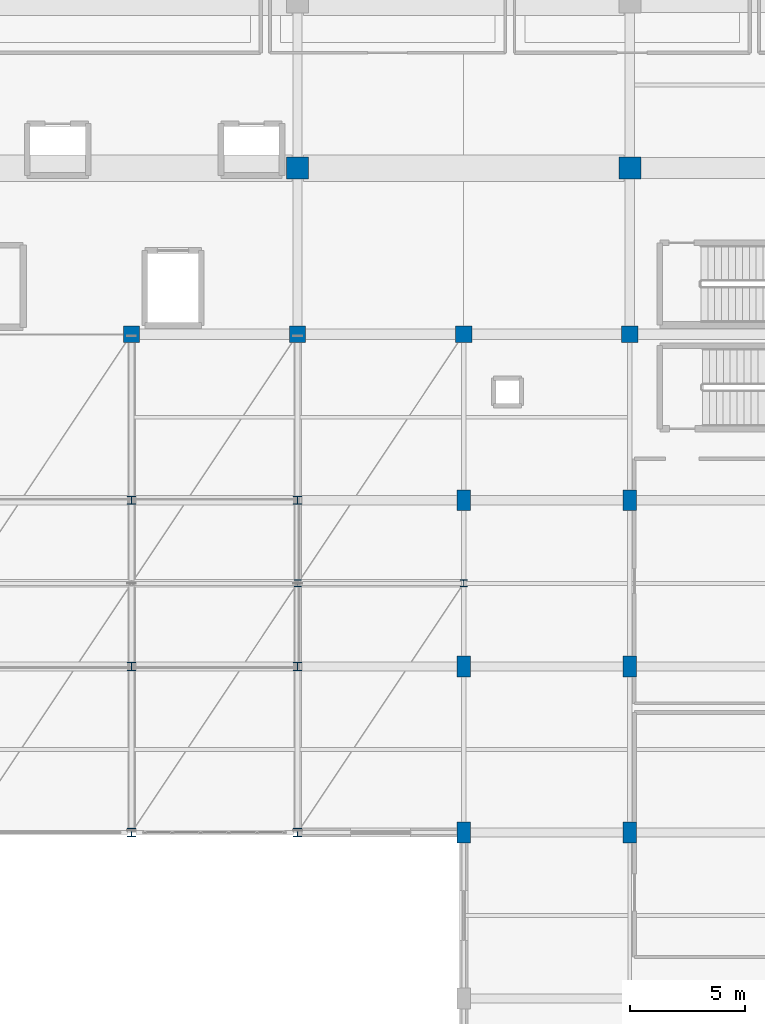
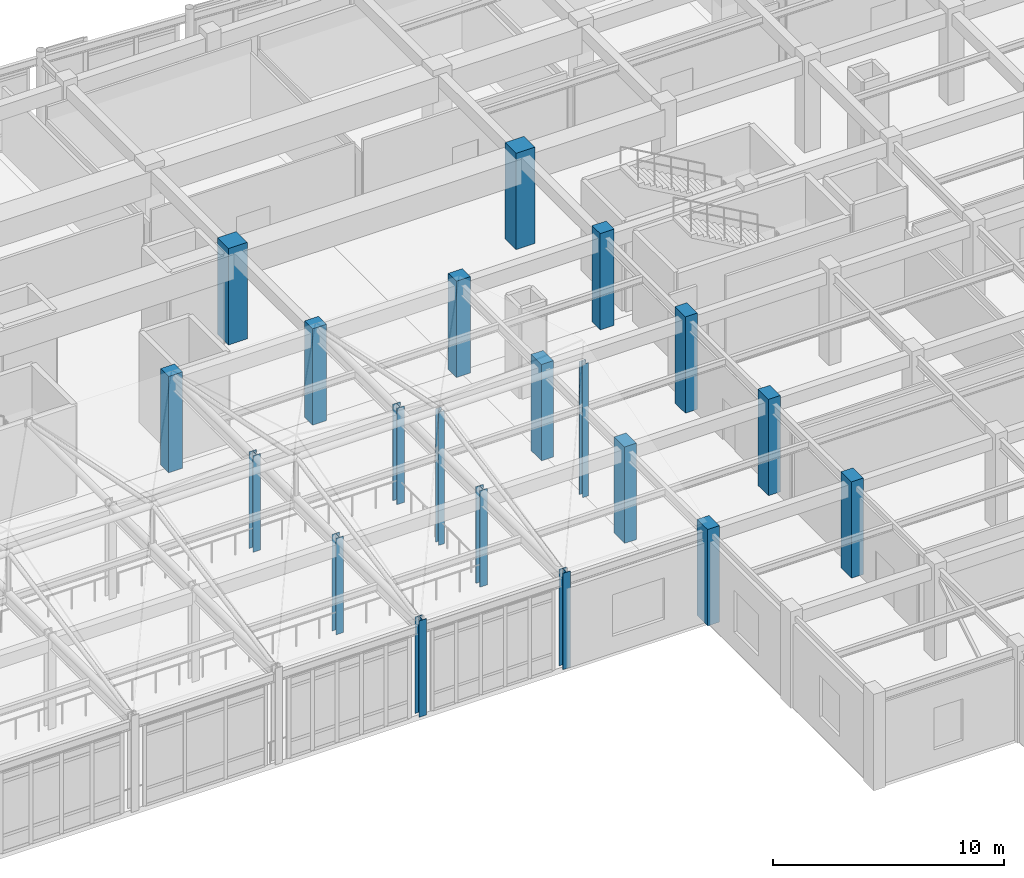
# One storey, part 8 of 117: 20 columns.
"""IFC4 building model written with IfcOpenShell, lengths in metres."""

from ifc_helpers import new_model, si_unit, direction, frame, origin, origin_2d, place, context, subcontext, project, spatial, rectangle, i_section, extrude, material, material_profile, profile_set, type_object, element, save


model = new_model("IFC4")

# Units and contexts
model_context = context("Model", 3, precision=1e-05, world=origin(), true_north=direction((0.0, 1.0)))
body_context = subcontext(model_context, "Body", "Model", "MODEL_VIEW")
ifc_project = project(units=[si_unit("LENGTHUNIT", "METRE"), si_unit("AREAUNIT", "SQUARE_METRE"), si_unit("VOLUMEUNIT", "CUBIC_METRE"), si_unit("PLANEANGLEUNIT", "RADIAN"), si_unit("MASSUNIT", "GRAM", prefix="KILO")], contexts=[model_context])

# Site, building, storey
site_placement = place(None, origin())
site = spatial("IfcSite", under=ifc_project, at=site_placement, CompositionType="ELEMENT")
building_placement = place(site_placement, origin())
building = spatial("IfcBuilding", under=site, at=building_placement, Name="Carrowvane Square Congress Hotel", CompositionType="ELEMENT")
storey_placement = place(building_placement, frame((0.0, 0.0, 5.39990234375)))
storey = spatial("IfcBuildingStorey", under=building, at=storey_placement, Name="L01", CompositionType="ELEMENT", Elevation=5.39990234375)

# Columns
ifc_material_1 = material(Name="Concrete C40/50", Category="concrete")
ifc_material_profile_1 = material_profile(ifc_material_1, rectangle(XDim=0.60009765625, YDim=0.89990234375, at=origin_2d()), Name="RC 600x900")
ifc_profile_set_1 = profile_set([ifc_material_profile_1], Name="Concrete C40/50")
column_type_1 = type_object("IfcColumnType", Name="COL-RC-600x900", PredefinedType="COLUMN", material=ifc_profile_set_1)
for number, where, z_axis, x_axis, name in (
    (1, (126.800048828125, 70.199951171875, 0.0), (0.0, 0.0, 1.0), (1.0, 0.0, 0.0), "L01 column 17/K"),
    (2, (126.800048828125, 77.39990234375, 0.0), (0.0, 0.0, 1.0), (1.0, 0.0, 0.0), "L01 column 17/L"),
    (3, (126.800048828125, 84.60009765625, 0.0), (0.0, 0.0, 1.0), (1.0, 0.0, 0.0), "L01 column 17/M"),
    (4, (134.0, 70.199951171875, 0.0), (0.0, 0.0, 1.0), (1.0, 0.0, 0.0), "L01 column 18/K"),
    (5, (134.0, 77.39990234375, 0.0), (0.0, 0.0, 1.0), (1.0, 0.0, 0.0), "L01 column 18/L"),
    (6, (134.0, 84.60009765625, 0.0), (0.0, 0.0, 1.0), (1.0, 0.0, 0.0), "L01 column 18/M"),
):
    element("IfcColumn", number, at=place(storey_placement, frame(where, z_axis=z_axis, x_axis=x_axis)), inside=storey, type_object=column_type_1, Name=name, PredefinedType="COLUMN", context=body_context, shape_type="SweptSolid", body=[
        extrude(rectangle(XDim=0.60009765625, YDim=0.89990234375, at=origin_2d()), origin(), (0.0, 0.0, 1.0), 5.10009765625),
    ])
ifc_material_2 = material(Name="Concrete C40/50", Category="concrete")
ifc_material_profile_2 = material_profile(ifc_material_2, rectangle(XDim=0.699951171875, YDim=0.699951171875, at=origin_2d()), Name="RC 700x700")
ifc_profile_set_2 = profile_set([ifc_material_profile_2], Name="Concrete C40/50")
column_type_2 = type_object("IfcColumnType", Name="COL-RC-700", PredefinedType="COLUMN", material=ifc_profile_set_2)
for number, where, z_axis, x_axis, name in (
    (7, (112.39990234375, 91.800048828125, 0.0), (0.0, 0.0, 1.0), (1.0, 0.0, 0.0), "L01 column 15/N"),
    (8, (119.60009765625, 91.800048828125, 0.0), (0.0, 0.0, 1.0), (1.0, 0.0, 0.0), "L01 column 16/N"),
    (9, (126.800048828125, 91.800048828125, 0.0), (0.0, 0.0, 1.0), (1.0, 0.0, 0.0), "L01 column 17/N"),
    (10, (134.0, 91.800048828125, 0.0), (0.0, 0.0, 1.0), (1.0, 0.0, 0.0), "L01 column 18/N"),
):
    element("IfcColumn", number, at=place(storey_placement, frame(where, z_axis=z_axis, x_axis=x_axis)), inside=storey, type_object=column_type_2, Name=name, PredefinedType="COLUMN", context=body_context, shape_type="SweptSolid", body=[
        extrude(rectangle(XDim=0.699951171875, YDim=0.699951171875, at=origin_2d()), origin(), (0.0, 0.0, 1.0), 5.10009765625),
    ])
ifc_material_3 = material(Name="Steel S355", Category="steel")
ifc_material_profile_3 = material_profile(ifc_material_3, i_section(OverallWidth=0.300048828125, OverallDepth=0.300048828125, WebThickness=0.010986328125, FlangeThickness=0.01904296875, FilletRadius=0.027099609375, at=origin_2d()), Name="HEB 300")
ifc_profile_set_3 = profile_set([ifc_material_profile_3], Name="Steel S355")
column_type_3 = type_object("IfcColumnType", Name="COL-ST-HEB300", PredefinedType="COLUMN", material=ifc_profile_set_3)
for number, where, z_axis, x_axis, name in (
    (11, (119.60009765625, 81.0, 0.0), (0.0, 0.0, 1.0), (1.0, 0.0, 0.0), "L01 column V6X119/RG"),
    (12, (126.800048828125, 81.0, 0.0), (0.0, 0.0, 1.0), (1.0, 0.0, 0.0), "L01 column V6X126/RG"),
):
    element("IfcColumn", number, at=place(storey_placement, frame(where, z_axis=z_axis, x_axis=x_axis)), inside=storey, type_object=column_type_3, Name=name, PredefinedType="COLUMN", context=body_context, shape_type="SweptSolid", body=[
        extrude(i_section(OverallWidth=0.300048828125, OverallDepth=0.300048828125, WebThickness=0.010986328125, FlangeThickness=0.01904296875, FilletRadius=0.027099609375, at=origin_2d()), origin(), (0.0, 0.0, 1.0), 7.045654296875),
    ])
ifc_material_4 = material(Name="Steel S355", Category="steel")
ifc_material_profile_4 = material_profile(ifc_material_4, i_section(OverallWidth=0.37060546875, OverallDepth=0.362060546875, WebThickness=0.01220703125, FlangeThickness=0.020751953125, FilletRadius=0.01513671875, at=origin_2d()), Name="UKC 356x368x153")
ifc_profile_set_4 = profile_set([ifc_material_profile_4], Name="Steel S355")
column_type_4 = type_object("IfcColumnType", Name="COL-ST-UKC356", PredefinedType="COLUMN", material=ifc_profile_set_4)
for number, where, z_axis, x_axis, name in (
    (13, (112.39990234375, 70.199951171875, 0.0), (0.0, 0.0, 1.0), (1.0, 0.0, 0.0), "L01 column 15/K"),
    (14, (112.39990234375, 77.39990234375, 0.0), (0.0, 0.0, 1.0), (1.0, 0.0, 0.0), "L01 column 15/L"),
    (15, (112.39990234375, 84.60009765625, 0.0), (0.0, 0.0, 1.0), (1.0, 0.0, 0.0), "L01 column 15/M"),
    (16, (119.60009765625, 70.199951171875, 0.0), (0.0, 0.0, 1.0), (1.0, 0.0, 0.0), "L01 column 16/K"),
    (17, (119.60009765625, 77.39990234375, 0.0), (0.0, 0.0, 1.0), (1.0, 0.0, 0.0), "L01 column 16/L"),
    (18, (119.60009765625, 84.60009765625, 0.0), (0.0, 0.0, 1.0), (1.0, 0.0, 0.0), "L01 column 16/M"),
):
    element("IfcColumn", number, at=place(storey_placement, frame(where, z_axis=z_axis, x_axis=x_axis)), inside=storey, type_object=column_type_4, Name=name, PredefinedType="COLUMN", context=body_context, shape_type="SweptSolid", body=[
        extrude(i_section(OverallWidth=0.37060546875, OverallDepth=0.362060546875, WebThickness=0.01220703125, FlangeThickness=0.020751953125, FilletRadius=0.01513671875, at=origin_2d()), origin(), (0.0, 0.0, 1.0), 5.10009765625),
    ])
ifc_material_5 = material(Name="Concrete C40/50", Category="concrete")
ifc_material_profile_5 = material_profile(ifc_material_5, rectangle(XDim=0.949951171875, YDim=0.949951171875, at=origin_2d()), Name="RC 950x950")
ifc_profile_set_5 = profile_set([ifc_material_profile_5], Name="Concrete C40/50")
column_type_5 = type_object("IfcColumnType", Name="MCOL-RC-1000", PredefinedType="COLUMN", material=ifc_profile_set_5)
for number, where, z_axis, x_axis, name in (
    (19, (119.60009765625, 99.0, 0.0), (0.0, 0.0, 1.0), (1.0, 0.0, 0.0), "L01 column 16/P"),
    (20, (134.0, 99.0, 0.0), (0.0, 0.0, 1.0), (1.0, 0.0, 0.0), "L01 column 18/P"),
):
    element("IfcColumn", number, at=place(storey_placement, frame(where, z_axis=z_axis, x_axis=x_axis)), inside=storey, type_object=column_type_5, Name=name, PredefinedType="COLUMN", context=body_context, shape_type="SweptSolid", body=[
        extrude(rectangle(XDim=0.949951171875, YDim=0.949951171875, at=origin_2d()), origin(), (0.0, 0.0, 1.0), 5.10009765625),
    ])

save(model, "model.ifc")
